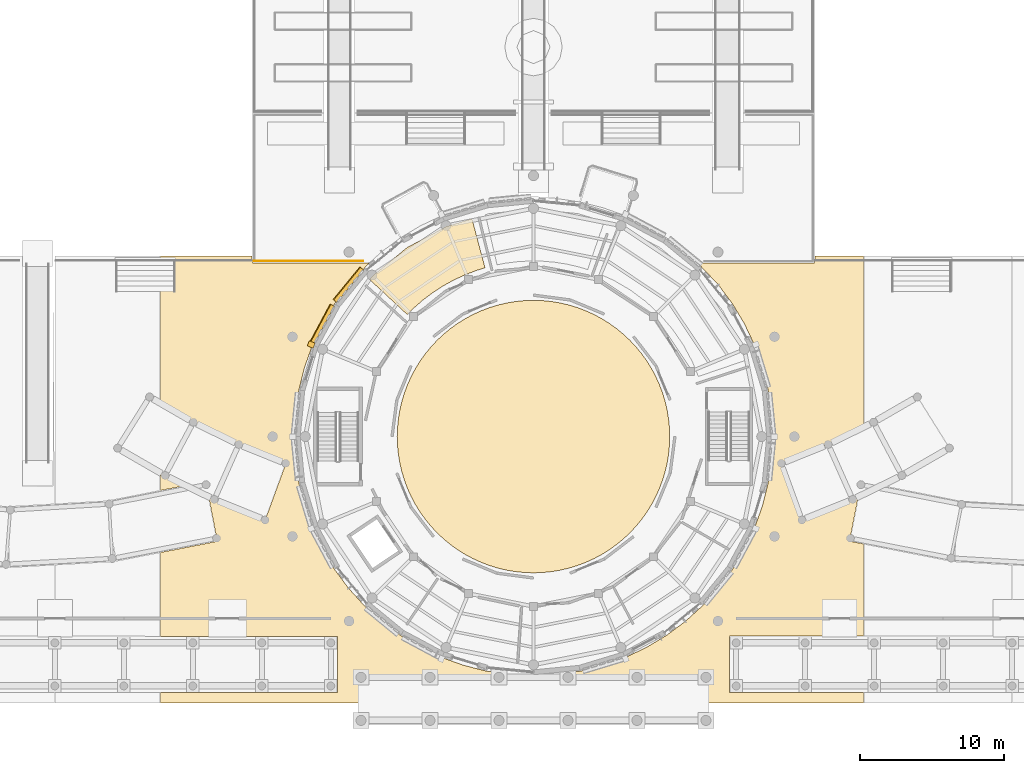
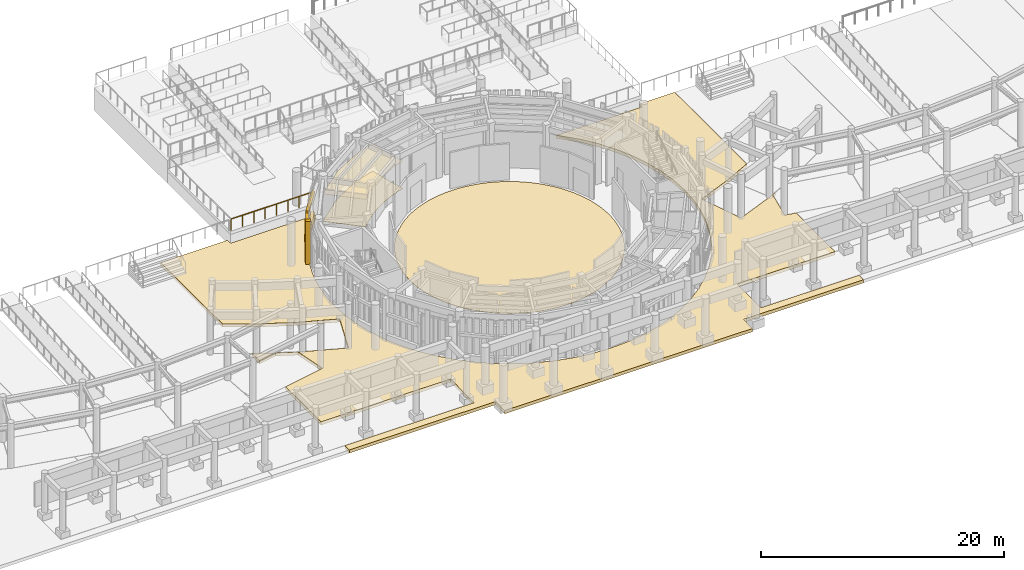
# One storey, part 75 of 94: 9 coverings, 1 railing.
"""IFC4 building model written with IfcOpenShell, lengths in metres."""

from ifc_helpers import new_model, si_unit, direction, frame, origin, origin_2d, place, context, subcontext, project, spatial, polyline, rectangle, circle, outline, extrude, material, layer, layer_set, type_object, element, save


model = new_model("IFC4")

# Units and contexts
model_context = context("Model", 3, precision=1e-05, world=origin(), true_north=direction((0.0, 1.0)))
body_context = subcontext(model_context, "Body", "Model", "MODEL_VIEW")
ifc_project = project(units=[si_unit("LENGTHUNIT", "METRE"), si_unit("AREAUNIT", "SQUARE_METRE"), si_unit("VOLUMEUNIT", "CUBIC_METRE"), si_unit("PLANEANGLEUNIT", "RADIAN"), si_unit("MASSUNIT", "GRAM", prefix="KILO")], contexts=[model_context])

# Site, building, storey
site_placement = place(None, origin())
site = spatial("IfcSite", under=ifc_project, at=site_placement, CompositionType="ELEMENT")
building_placement = place(site_placement, origin())
building = spatial("IfcBuilding", under=site, at=building_placement, Name="Aldenvaro Health Centre", CompositionType="ELEMENT")
storey_placement = place(building_placement, origin())
storey = spatial("IfcBuildingStorey", under=building, at=storey_placement, Name="L00", CompositionType="ELEMENT", Elevation=0.0)

# Coverings
ifc_material_1 = material(Name="Perforated Douglas Fir Slatted Ceiling")
ifc_layer_1 = layer(ifc_material_1, 0.031982421875, Name="Perforated Douglas Fir Slatted Ceiling")
ifc_layer_set_1 = layer_set([ifc_layer_1], Name="Perforated Douglas Fir Slatted Ceiling")
covering_type_1 = type_object("IfcCoveringType", Name="COV-CLG-WD32", PredefinedType="CEILING", material=ifc_layer_set_1)
covering_1_placement = place(storey_placement, frame((0.0, 0.0, 2.75)))
element("IfcCovering", 1, at=covering_1_placement, inside=storey, type_object=covering_type_1, Name="D1-L00-R03 Suspended Ceiling", PredefinedType="CEILING", context=body_context, shape_type="SweptSolid", body=[
    extrude(outline(polyline([(83.044921875, 31.56201171875), (83.029052734375, 31.556884765625), (82.242919921875, 31.256103515625), (82.22705078125, 31.2490234375), (81.465087890625, 30.89404296875), (81.449951171875, 30.886962890625), (80.714111328125, 30.47900390625), (80.698974609375, 30.469970703125), (79.993896484375, 30.011962890625), (79.97998046875, 30.001953125), (79.30810546875, 29.4951171875), (79.294921875, 29.485107421875), (78.660888671875, 28.931884765625), (78.64794921875, 28.919921875), (78.218017578125, 28.489013671875), (75.59912109375, 30.923095703125), (75.81396484375, 31.18603515625), (78.2119140625, 33.153076171875), (80.946044921875, 34.614013671875), (82.719970703125, 35.152099609375), (83.6279296875, 31.739013671875), (83.044921875, 31.56201171875)])), origin(), (0.0, 0.0, 1.0), 0.031982421875),
])
ifc_material_2 = material(Name="Honed Sonoran Buff Limestone", Category="masonry")
ifc_layer_2 = layer(ifc_material_2, 0.280029296875, Name="Honed Sonoran Buff Limestone", Category="masonry")
ifc_layer_set_2 = layer_set([ifc_layer_2], Name="Honed Sonoran Buff Limestone")
covering_type_2 = type_object("IfcCoveringType", Name="COV-CRN-STN", PredefinedType="CLADDING", material=ifc_layer_set_2)
covering_2_placement = place(storey_placement, frame((72.305908203125, 27.85400390625, 0.0), z_axis=(0.0, 0.0, 1.0), x_axis=(0.471556629455, 0.88183578132, 0.0)))
element("IfcCovering", 2, at=covering_2_placement, inside=storey, type_object=covering_type_2, Name="D1 L00 Rusticated Limestone Plinth 19.1", PredefinedType="CLADDING", context=body_context, shape_type="SweptSolid", body=[
    extrude(rectangle(XDim=2.93505859375, YDim=0.340087890625, at=origin_2d()), origin(), (0.0, 0.0, 1.0), 0.719970703125),
])
covering_3_placement = place(storey_placement, frame((72.3330078125, 27.840087890625, 2.5498046875), z_axis=(0.0, 0.0, 1.0), x_axis=(0.471556629455, 0.88183578132, 0.0)))
element("IfcCovering", 3, at=covering_3_placement, inside=storey, type_object=covering_type_2, Name="D1 L00 Rusticated Limestone Plinth 19.2", PredefinedType="CLADDING", context=body_context, shape_type="SweptSolid", body=[
    extrude(rectangle(XDim=2.93505859375, YDim=0.280029296875, at=origin_2d()), origin(), (0.0, 0.0, 1.0), 0.280029296875),
])
covering_4_placement = place(storey_placement, frame((71.533935546875, 26.406005859375, -0.00048828125), z_axis=(0.0, 0.0, 1.0), x_axis=(-0.923883065715, 0.382674902345, 0.0)))
element("IfcCovering", 4, at=covering_4_placement, inside=storey, type_object=covering_type_2, Name="D1 L00 Engaged Classical Limestone Pilaster 10", PredefinedType="CLADDING", context=body_context, shape_type="SweptSolid", body=[
    extrude(rectangle(XDim=0.43994140625, YDim=0.3798828125, at=origin_2d()), origin(), (0.0, 0.0, 1.0), 4.304931640625),
])
covering_5_placement = place(storey_placement, frame((74.12109375, 30.570068359375, 0.0), z_axis=(0.0, 0.0, 1.0), x_axis=(0.634168850528, 0.773194586776, 0.0)))
element("IfcCovering", 5, at=covering_5_placement, inside=storey, type_object=covering_type_2, Name="D1 L00 Rusticated Limestone Plinth 20.1", PredefinedType="CLADDING", context=body_context, shape_type="SweptSolid", body=[
    extrude(rectangle(XDim=2.93505859375, YDim=0.340087890625, at=origin_2d()), origin(), (0.0, 0.0, 1.0), 0.719970703125),
])
covering_6_placement = place(storey_placement, frame((74.14404296875, 30.551025390625, 2.5498046875), z_axis=(0.0, 0.0, 1.0), x_axis=(0.634168850528, 0.773194586776, 0.0)))
element("IfcCovering", 6, at=covering_6_placement, inside=storey, type_object=covering_type_2, Name="D1 L00 Rusticated Limestone Plinth 20.2", PredefinedType="CLADDING", context=body_context, shape_type="SweptSolid", body=[
    extrude(rectangle(XDim=2.93505859375, YDim=0.280029296875, at=origin_2d()), origin(), (0.0, 0.0, 1.0), 0.280029296875),
])
ifc_material_3 = material(Name="Honed Arizona Limestone Flooring", Category="masonry")
ifc_layer_3 = layer(ifc_material_3, 0.030029296875, Name="Honed Arizona Limestone Flooring", Category="masonry")
ifc_layer_set_3 = layer_set([ifc_layer_3], Name="Honed Arizona Limestone Flooring")
covering_type_3 = type_object("IfcCoveringType", Name="COV-FLR-STN30", PredefinedType="FLOORING", material=ifc_layer_set_3)
covering_7_placement = place(storey_placement, origin())
element("IfcCovering", 7, at=covering_7_placement, inside=storey, type_object=covering_type_3, Name="D1-L00-HALL Flooring", PredefinedType="FLOORING", context=body_context, shape_type="SweptSolid", body=[
    extrude(outline(polyline([(96.47998046875, 20.0), (96.4599609375, 19.3798828125), (96.39892578125, 18.762939453125), (96.298095703125, 18.15087890625), (96.156982421875, 17.5458984375), (95.97705078125, 16.952880859375), (95.758056640625, 16.3720703125), (95.501953125, 15.806884765625), (95.2099609375, 15.260009765625), (94.882080078125, 14.73291015625), (94.52099609375, 14.22900390625), (94.126953125, 13.7490234375), (93.702880859375, 13.297119140625), (93.2509765625, 12.873046875), (92.77099609375, 12.47900390625), (92.26708984375, 12.117919921875), (91.739990234375, 11.7900390625), (91.193115234375, 11.498046875), (90.6279296875, 11.241943359375), (90.047119140625, 11.02294921875), (89.4541015625, 10.843017578125), (88.84912109375, 10.701904296875), (88.237060546875, 10.60107421875), (87.6201171875, 10.5400390625), (87.0, 10.52001953125), (86.3798828125, 10.5400390625), (85.762939453125, 10.60107421875), (85.15087890625, 10.701904296875), (84.5458984375, 10.843017578125), (83.952880859375, 11.02294921875), (83.3720703125, 11.241943359375), (82.806884765625, 11.498046875), (82.260009765625, 11.7900390625), (81.73291015625, 12.117919921875), (81.22900390625, 12.47900390625), (80.7490234375, 12.873046875), (80.297119140625, 13.297119140625), (79.873046875, 13.7490234375), (79.47900390625, 14.22900390625), (79.117919921875, 14.73291015625), (78.7900390625, 15.260009765625), (78.498046875, 15.806884765625), (78.241943359375, 16.3720703125), (78.02294921875, 16.952880859375), (77.843017578125, 17.5458984375), (77.701904296875, 18.15087890625), (77.60107421875, 18.762939453125), (77.5400390625, 19.3798828125), (77.52001953125, 20.0), (77.5400390625, 20.6201171875), (77.60107421875, 21.237060546875), (77.701904296875, 21.84912109375), (77.843017578125, 22.4541015625), (78.02294921875, 23.047119140625), (78.241943359375, 23.6279296875), (78.498046875, 24.193115234375), (78.7900390625, 24.739990234375), (79.117919921875, 25.26708984375), (79.47900390625, 25.77099609375), (79.873046875, 26.2509765625), (80.297119140625, 26.702880859375), (80.7490234375, 27.126953125), (81.22900390625, 27.52099609375), (81.73291015625, 27.882080078125), (82.260009765625, 28.2099609375), (82.806884765625, 28.501953125), (83.3720703125, 28.758056640625), (83.952880859375, 28.97705078125), (84.5458984375, 29.156982421875), (85.15087890625, 29.298095703125), (85.762939453125, 29.39892578125), (86.3798828125, 29.4599609375), (87.0, 29.47998046875), (87.6201171875, 29.4599609375), (88.237060546875, 29.39892578125), (88.84912109375, 29.298095703125), (89.4541015625, 29.156982421875), (90.047119140625, 28.97705078125), (90.6279296875, 28.758056640625), (91.193115234375, 28.501953125), (91.739990234375, 28.2099609375), (92.26708984375, 27.882080078125), (92.77099609375, 27.52099609375), (93.2509765625, 27.126953125), (93.702880859375, 26.702880859375), (94.126953125, 26.2509765625), (94.52099609375, 25.77099609375), (94.882080078125, 25.26708984375), (95.2099609375, 24.739990234375), (95.501953125, 24.193115234375), (95.758056640625, 23.6279296875), (95.97705078125, 23.047119140625), (96.156982421875, 22.4541015625), (96.298095703125, 21.84912109375), (96.39892578125, 21.237060546875), (96.4599609375, 20.6201171875), (96.47998046875, 20.0)])), origin(), (0.0, 0.0, 1.0), 0.030029296875),
])
covering_8_placement = place(storey_placement, origin())
element("IfcCovering", 8, at=covering_8_placement, inside=storey, type_object=covering_type_3, Name="D1-L00-R03 Flooring", PredefinedType="FLOORING", context=body_context, shape_type="SweptSolid", body=[
    extrude(outline(polyline([(83.044921875, 31.56201171875), (83.029052734375, 31.556884765625), (82.242919921875, 31.256103515625), (82.22705078125, 31.2490234375), (81.465087890625, 30.89404296875), (81.449951171875, 30.886962890625), (80.714111328125, 30.47900390625), (80.698974609375, 30.469970703125), (79.993896484375, 30.011962890625), (79.97998046875, 30.001953125), (79.30810546875, 29.4951171875), (79.294921875, 29.485107421875), (78.660888671875, 28.931884765625), (78.64794921875, 28.919921875), (78.218017578125, 28.489013671875), (75.59912109375, 30.923095703125), (75.81396484375, 31.18603515625), (78.2119140625, 33.153076171875), (80.946044921875, 34.614013671875), (82.719970703125, 35.152099609375), (83.6279296875, 31.739013671875), (83.044921875, 31.56201171875)])), origin(), (0.0, 0.0, 1.0), 0.030029296875),
])
ifc_material_4 = material(Name="Honed Sonoran Buff Travertine", Category="masonry")
ifc_layer_4 = layer(ifc_material_4, 0.320068359375, Name="Honed Sonoran Buff Travertine", Category="masonry")
ifc_layer_set_4 = layer_set([ifc_layer_4], Name="Honed Sonoran Buff Travertine")
covering_type_4 = type_object("IfcCoveringType", Name="COV-POD-320", PredefinedType="FLOORING", material=ifc_layer_set_4)
covering_9_placement = place(storey_placement, frame((0.0, 0.0, -0.320068359375)))
element("IfcCovering", 9, at=covering_9_placement, inside=storey, type_object=covering_type_4, Name="South Street Entrance Stylobate Forecourt Section 7", PredefinedType="FLOORING", context=body_context, shape_type="SweptSolid", body=[
    extrude(outline(polyline([(74.136962890625, 30.555908203125), (73.1640625, 29.2451171875), (72.324951171875, 27.843994140625), (71.626953125, 26.367919921875), (71.076904296875, 24.830078125), (70.679931640625, 23.24609375), (70.43994140625, 21.631103515625), (70.360107421875, 20.0), (70.43994140625, 18.368896484375), (70.679931640625, 16.75390625), (71.076904296875, 15.169921875), (71.626953125, 13.632080078125), (72.324951171875, 12.156005859375), (73.1640625, 10.7548828125), (74.136962890625, 9.444091796875), (75.23388671875, 8.23388671875), (76.444091796875, 7.136962890625), (77.7548828125, 6.1640625), (79.156005859375, 5.324951171875), (80.632080078125, 4.626953125), (82.169921875, 4.076904296875), (83.75390625, 3.679931640625), (85.368896484375, 3.43994140625), (87.0, 3.360107421875), (88.631103515625, 3.43994140625), (90.24609375, 3.679931640625), (91.830078125, 4.076904296875), (93.367919921875, 4.626953125), (94.843994140625, 5.324951171875), (96.2451171875, 6.1640625), (97.555908203125, 7.136962890625), (98.76611328125, 8.23388671875), (99.863037109375, 9.444091796875), (100.8359375, 10.7548828125), (101.675048828125, 12.156005859375), (102.373046875, 13.632080078125), (102.923095703125, 15.169921875), (103.320068359375, 16.75390625), (103.56005859375, 18.368896484375), (103.639892578125, 20.0), (103.56005859375, 21.631103515625), (103.320068359375, 23.24609375), (102.923095703125, 24.830078125), (102.373046875, 26.367919921875), (101.675048828125, 27.843994140625), (100.8359375, 29.2451171875), (99.863037109375, 30.555908203125), (98.44189453125, 32.06005859375), (106.553955078125, 32.06005859375), (106.590087890625, 32.550048828125), (109.955078125, 32.550048828125), (109.955078125, 20.669921875), (107.508056640625, 19.47509765625), (104.218994140625, 18.14501953125), (105.66796875, 14.174072265625), (109.215087890625, 15.60107421875), (109.955078125, 15.9619140625), (109.583984375, 15.76611328125), (108.988037109375, 12.72412109375), (109.955078125, 12.532958984375), (109.955078125, 6.115966796875), (100.64794921875, 6.1201171875), (100.635986328125, 2.18603515625), (109.955078125, 2.18408203125), (109.955078125, 1.449951171875), (98.550048828125, 1.449951171875), (98.550048828125, -0.050048828125), (74.949951171875, -0.050048828125), (74.949951171875, 1.449951171875), (61.054931640625, 1.449951171875), (61.054931640625, 2.181884765625), (73.35205078125, 2.179931640625), (73.3701171875, 6.10205078125), (61.054931640625, 6.10791015625), (61.054931640625, 11.93896484375), (65.006103515625, 12.714111328125), (64.416015625, 15.76708984375), (62.74609375, 16.5849609375), (61.054931640625, 16.2509765625), (61.054931640625, 17.448974609375), (61.35888671875, 17.27294921875), (64.782958984375, 15.60205078125), (68.323974609375, 14.173095703125), (69.781005859375, 18.14501953125), (66.51904296875, 19.464111328125), (63.35791015625, 21.00390625), (61.054931640625, 22.3369140625), (61.054931640625, 32.550048828125), (67.409912109375, 32.550048828125), (67.446044921875, 32.06005859375), (75.55810546875, 32.06005859375), (74.136962890625, 30.555908203125)])), origin(), (0.0, 0.0, 1.0), 0.320068359375),
])

# Railing
ifc_material_5 = material(Name="Painted Architectural Steel", Category="steel")
railing_type = type_object("IfcRailingType", Name="RL-BAL-115", PredefinedType="GUARDRAIL", material=ifc_material_5)
railing_placement = place(storey_placement, frame((75.125, 32.219970703125, 1.14990234375)))
element("IfcRailing", 10, at=railing_placement, inside=storey, type_object=railing_type, Name="Lower Foothill Wing and Amphitheatre Court Terrace Classical Balustrade 9", PredefinedType="GUARDRAIL", context=body_context, shape_type="SweptSolid", body=[
    extrude(circle(Radius=0.02392578125, at=origin_2d()), frame((0.0, 0.0, 1.1357421875), z_axis=(-1.0, 0.0, 0.0), x_axis=(0.0, -1.0, 0.0)), (0.0, 0.0, 1.0), 7.554931640625),
    extrude(circle(Radius=0.02099609375, at=origin_2d()), origin(), (0.0, 0.0, 1.0), 1.11181640625),
    extrude(circle(Radius=0.02099609375, at=origin_2d()), frame((-1.079345703125, 0.0, 0.0)), (0.0, 0.0, 1.0), 1.11181640625),
    extrude(circle(Radius=0.02099609375, at=origin_2d()), frame((-2.158447265625, 0.0, 0.0)), (0.0, 0.0, 1.0), 1.11181640625),
    extrude(circle(Radius=0.02099609375, at=origin_2d()), frame((-3.23779296875, 0.0, 0.0)), (0.0, 0.0, 1.0), 1.11181640625),
    extrude(circle(Radius=0.02099609375, at=origin_2d()), frame((-4.317138671875, 0.0, 0.0)), (0.0, 0.0, 1.0), 1.11181640625),
    extrude(circle(Radius=0.02099609375, at=origin_2d()), frame((-5.396484375, 0.0, 0.0)), (0.0, 0.0, 1.0), 1.11181640625),
    extrude(circle(Radius=0.02099609375, at=origin_2d()), frame((-6.4755859375, 0.0, 0.0)), (0.0, 0.0, 1.0), 1.11181640625),
    extrude(circle(Radius=0.02099609375, at=origin_2d()), frame((-7.554931640625, 0.0, 0.0)), (0.0, 0.0, 1.0), 1.11181640625),
])

save(model, "model.ifc")
